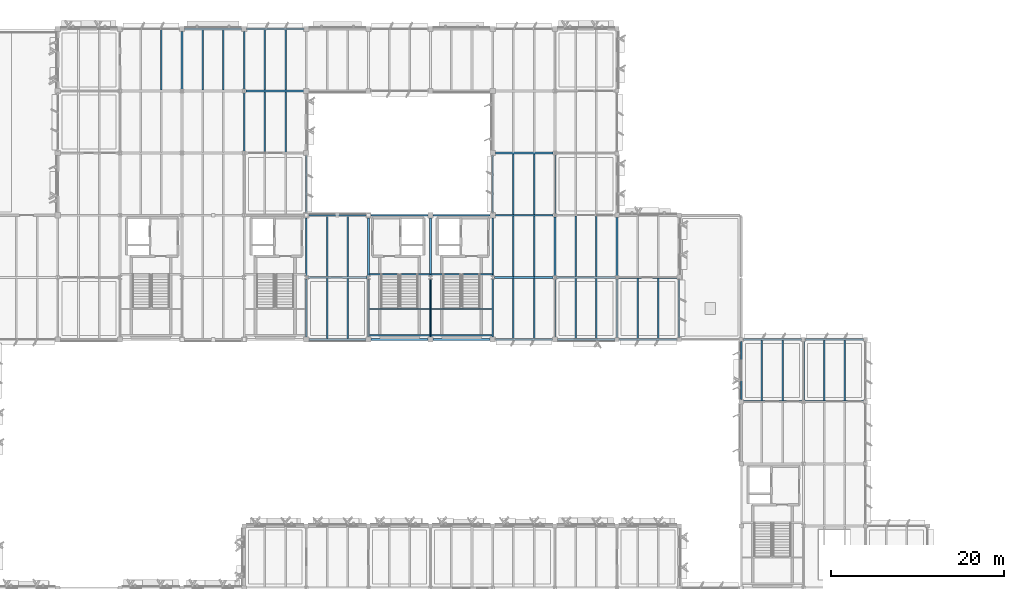
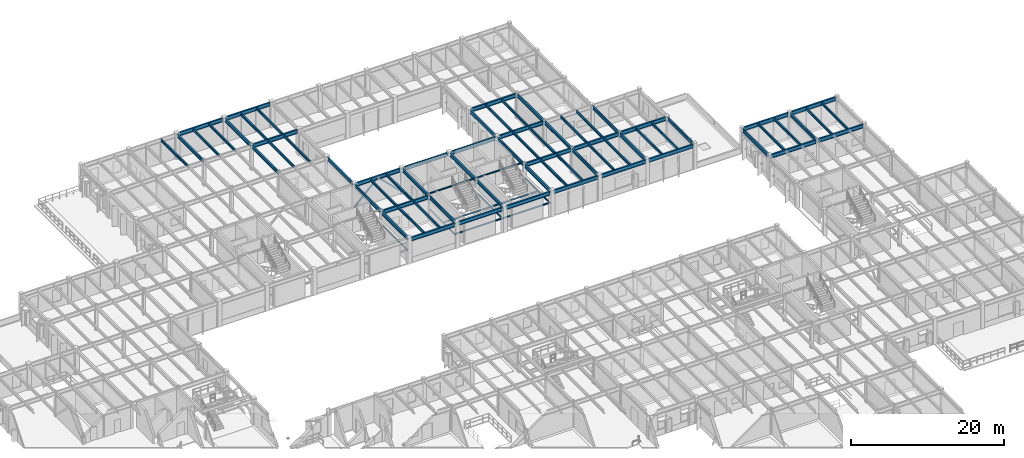
# One storey, part 22 of 85: 80 beams, 2 members.
"""IFC4 building model written with IfcOpenShell, lengths in metres."""

from ifc_helpers import new_model, si_unit, direction, frame, origin, origin_2d, place, context, subcontext, project, spatial, hollow_rectangle, i_section, extrude, material, material_profile, profile_set, type_object, element, save


model = new_model("IFC4")

# Units and contexts
model_context = context("Model", 3, precision=1e-05, world=origin(), true_north=direction((0.0, 1.0)))
body_context = subcontext(model_context, "Body", "Model", "MODEL_VIEW")
ifc_project = project(units=[si_unit("LENGTHUNIT", "METRE"), si_unit("AREAUNIT", "SQUARE_METRE"), si_unit("VOLUMEUNIT", "CUBIC_METRE"), si_unit("PLANEANGLEUNIT", "RADIAN"), si_unit("MASSUNIT", "GRAM", prefix="KILO")], contexts=[model_context])

# Site, building, storey
site_placement = place(None, origin())
site = spatial("IfcSite", under=ifc_project, at=site_placement, CompositionType="ELEMENT")
building_placement = place(site_placement, origin())
building = spatial("IfcBuilding", under=site, at=building_placement, Name="Sillqori Civic Hall", CompositionType="ELEMENT")
storey_placement = place(building_placement, frame((0.0, 0.0, 9.89990234375)))
storey = spatial("IfcBuildingStorey", under=building, at=storey_placement, Name="L03", CompositionType="ELEMENT", Elevation=9.89990234375)

# Beams
ifc_material_1 = material(Name="Steel ASTM A992", Category="steel")
ifc_material_profile_1 = material_profile(ifc_material_1, i_section(OverallWidth=0.2099609375, OverallDepth=0.532958984375, WebThickness=0.01025390625, FlangeThickness=0.015625, FilletRadius=0.013916015625, at=origin_2d()), Name="W21X62")
ifc_profile_set_1 = profile_set([ifc_material_profile_1], Name="Steel ASTM A992")
beam_type_1 = type_object("IfcBeamType", Name="BM-W21X62", PredefinedType="BEAM", material=ifc_profile_set_1)
beam_1_placement = place(storey_placement, frame((57.60009765625, 108.18701171875, 3.753662109375), z_axis=(0.0, 1.0, 0.0), x_axis=(-1.0, 0.0, 0.0)))
element("IfcBeam", 1, at=beam_1_placement, inside=storey, type_object=beam_type_1, Name="L03 girder Y 8-15", PredefinedType="BEAM", context=body_context, shape_type="SweptSolid", body=[
    extrude(i_section(OverallWidth=0.2099609375, OverallDepth=0.532958984375, WebThickness=0.01025390625, FlangeThickness=0.015625, FilletRadius=0.013916015625, at=origin_2d()), origin(), (0.0, 0.0, 1.0), 6.718994140625),
])
beam_2_placement = place(storey_placement, frame((64.800048828125, 100.987060546875, 3.753662109375), z_axis=(0.0, 1.0, 0.0), x_axis=(-1.0, 0.0, 0.0)))
element("IfcBeam", 2, at=beam_2_placement, inside=storey, type_object=beam_type_1, Name="L03 girder Y 9-14", PredefinedType="BEAM", context=body_context, shape_type="SweptSolid", body=[
    extrude(i_section(OverallWidth=0.2099609375, OverallDepth=0.532958984375, WebThickness=0.01025390625, FlangeThickness=0.015625, FilletRadius=0.013916015625, at=origin_2d()), origin(), (0.0, 0.0, 1.0), 6.825927734375),
])
for number, where, z_axis, x_axis, name in (
    (3, (64.800048828125, 108.18701171875, 3.753662109375), (0.0, 1.0, 0.0), (-1.0, 0.0, 0.0), "L03 girder Y 9-15"),
    (4, (72.0, 79.493896484375, 3.753662109375), (0.0, 1.0, 0.0), (-1.0, 0.0, 0.0), "L03 girder Y 10-11"),
    (5, (72.0, 86.5869140625, 3.753662109375), (0.0, 1.0, 0.0), (-1.0, 0.0, 0.0), "L03 girder Y 10-12"),
):
    element("IfcBeam", number, at=place(storey_placement, frame(where, z_axis=z_axis, x_axis=x_axis)), inside=storey, type_object=beam_type_1, Name=name, PredefinedType="BEAM", context=body_context, shape_type="SweptSolid", body=[
        extrude(i_section(OverallWidth=0.2099609375, OverallDepth=0.532958984375, WebThickness=0.01025390625, FlangeThickness=0.015625, FilletRadius=0.013916015625, at=origin_2d()), origin(), (0.0, 0.0, 1.0), 6.718994140625),
    ])
beam_3_placement = place(storey_placement, frame((72.0, 93.89404296875, 3.753662109375), z_axis=(0.0, 1.0, 0.0), x_axis=(-1.0, 0.0, 0.0)))
element("IfcBeam", 6, at=beam_3_placement, inside=storey, type_object=beam_type_1, Name="L03 girder Y 10-13", PredefinedType="BEAM", context=body_context, shape_type="SweptSolid", body=[
    extrude(i_section(OverallWidth=0.2099609375, OverallDepth=0.532958984375, WebThickness=0.01025390625, FlangeThickness=0.015625, FilletRadius=0.013916015625, at=origin_2d()), origin(), (0.0, 0.0, 1.0), 6.612060546875),
])
for number, where, z_axis, x_axis, name in (
    (7, (79.199951171875, 79.493896484375, 3.753662109375), (0.0, 1.0, 0.0), (-1.0, 0.0, 0.0), "L03 girder Y 11-11"),
    (8, (79.199951171875, 86.5869140625, 3.753662109375), (0.0, 1.0, 0.0), (-1.0, 0.0, 0.0), "L03 girder Y 11-12"),
    (9, (86.39990234375, 79.493896484375, 3.753662109375), (0.0, 1.0, 0.0), (-1.0, 0.0, 0.0), "L03 girder Y 12-11"),
    (10, (86.39990234375, 86.5869140625, 3.753662109375), (0.0, 1.0, 0.0), (-1.0, 0.0, 0.0), "L03 girder Y 12-12"),
    (11, (93.60009765625, 79.493896484375, 3.753662109375), (0.0, 1.0, 0.0), (-1.0, 0.0, 0.0), "L03 girder Y 13-11"),
    (12, (93.60009765625, 86.5869140625, 3.753662109375), (0.0, 1.0, 0.0), (-1.0, 0.0, 0.0), "L03 girder Y 13-12"),
):
    element("IfcBeam", number, at=place(storey_placement, frame(where, z_axis=z_axis, x_axis=x_axis)), inside=storey, type_object=beam_type_1, Name=name, PredefinedType="BEAM", context=body_context, shape_type="SweptSolid", body=[
        extrude(i_section(OverallWidth=0.2099609375, OverallDepth=0.532958984375, WebThickness=0.01025390625, FlangeThickness=0.015625, FilletRadius=0.013916015625, at=origin_2d()), origin(), (0.0, 0.0, 1.0), 6.718994140625),
    ])
beam_4_placement = place(storey_placement, frame((93.60009765625, 93.89404296875, 3.753662109375), z_axis=(0.0, 1.0, 0.0), x_axis=(-1.0, 0.0, 0.0)))
element("IfcBeam", 13, at=beam_4_placement, inside=storey, type_object=beam_type_1, Name="L03 girder Y 13-13", PredefinedType="BEAM", context=body_context, shape_type="SweptSolid", body=[
    extrude(i_section(OverallWidth=0.2099609375, OverallDepth=0.532958984375, WebThickness=0.01025390625, FlangeThickness=0.015625, FilletRadius=0.013916015625, at=origin_2d()), origin(), (0.0, 0.0, 1.0), 6.612060546875),
])
beam_5_placement = place(storey_placement, frame((100.800048828125, 79.493896484375, 3.753662109375), z_axis=(0.0, 1.0, 0.0), x_axis=(-1.0, 0.0, 0.0)))
element("IfcBeam", 14, at=beam_5_placement, inside=storey, type_object=beam_type_1, Name="L03 girder Y 14-11", PredefinedType="BEAM", context=body_context, shape_type="SweptSolid", body=[
    extrude(i_section(OverallWidth=0.2099609375, OverallDepth=0.532958984375, WebThickness=0.01025390625, FlangeThickness=0.015625, FilletRadius=0.013916015625, at=origin_2d()), origin(), (0.0, 0.0, 1.0), 6.718994140625),
])
beam_6_placement = place(storey_placement, frame((100.800048828125, 86.5869140625, 3.753662109375), z_axis=(0.0, 1.0, 0.0), x_axis=(-1.0, 0.0, 0.0)))
element("IfcBeam", 15, at=beam_6_placement, inside=storey, type_object=beam_type_1, Name="L03 girder Y 14-12", PredefinedType="BEAM", context=body_context, shape_type="SweptSolid", body=[
    extrude(i_section(OverallWidth=0.2099609375, OverallDepth=0.532958984375, WebThickness=0.01025390625, FlangeThickness=0.015625, FilletRadius=0.013916015625, at=origin_2d()), origin(), (0.0, 0.0, 1.0), 6.826171875),
])
beam_7_placement = place(storey_placement, frame((100.800048828125, 93.787109375, 3.753662109375), z_axis=(0.0, 1.0, 0.0), x_axis=(-1.0, 0.0, 0.0)))
element("IfcBeam", 16, at=beam_7_placement, inside=storey, type_object=beam_type_1, Name="L03 girder Y 14-13", PredefinedType="BEAM", context=body_context, shape_type="SweptSolid", body=[
    extrude(i_section(OverallWidth=0.2099609375, OverallDepth=0.532958984375, WebThickness=0.01025390625, FlangeThickness=0.015625, FilletRadius=0.013916015625, at=origin_2d()), origin(), (0.0, 0.0, 1.0), 6.825927734375),
])
for number, where, z_axis, x_axis, name in (
    (17, (108.0, 79.444091796875, 3.733642578125), (0.0, 1.0, 0.0), (-1.0, 0.0, 0.0), "L03 girder Y 15-11"),
    (18, (108.0, 86.574462890625, 3.733642578125), (0.0, 1.0, 0.0), (-1.0, 0.0, 0.0), "L03 girder Y 15-12"),
):
    element("IfcBeam", number, at=place(storey_placement, frame(where, z_axis=z_axis, x_axis=x_axis)), inside=storey, type_object=beam_type_1, Name=name, PredefinedType="BEAM", context=body_context, shape_type="SweptSolid", body=[
        extrude(i_section(OverallWidth=0.2099609375, OverallDepth=0.532958984375, WebThickness=0.01025390625, FlangeThickness=0.015625, FilletRadius=0.013916015625, at=origin_2d()), origin(), (0.0, 0.0, 1.0), 6.781494140625),
    ])
beam_8_placement = place(storey_placement, frame((115.199951171875, 79.444091796875, 3.733642578125), z_axis=(0.0, 1.0, 0.0), x_axis=(-1.0, 0.0, 0.0)))
element("IfcBeam", 19, at=beam_8_placement, inside=storey, type_object=beam_type_1, Name="L03 girder Y 16-11", PredefinedType="BEAM", context=body_context, shape_type="SweptSolid", body=[
    extrude(i_section(OverallWidth=0.2099609375, OverallDepth=0.532958984375, WebThickness=0.01025390625, FlangeThickness=0.015625, FilletRadius=0.013916015625, at=origin_2d()), origin(), (0.0, 0.0, 1.0), 6.7119140625),
])
beam_9_placement = place(storey_placement, frame((122.39990234375, 72.243896484375, 3.753662109375), z_axis=(0.0, 1.0, 0.0), x_axis=(-1.0, 0.0, 0.0)))
element("IfcBeam", 20, at=beam_9_placement, inside=storey, type_object=beam_type_1, Name="L03 girder Y 17-10", PredefinedType="BEAM", context=body_context, shape_type="SweptSolid", body=[
    extrude(i_section(OverallWidth=0.2099609375, OverallDepth=0.532958984375, WebThickness=0.01025390625, FlangeThickness=0.015625, FilletRadius=0.013916015625, at=origin_2d()), origin(), (0.0, 0.0, 1.0), 6.712158203125),
])
beam_10_placement = place(storey_placement, frame((129.60009765625, 72.174560546875, 3.753662109375), z_axis=(0.0, 1.0, 0.0), x_axis=(-1.0, 0.0, 0.0)))
element("IfcBeam", 21, at=beam_10_placement, inside=storey, type_object=beam_type_1, Name="L03 girder Y 18-10", PredefinedType="BEAM", context=body_context, shape_type="SweptSolid", body=[
    extrude(i_section(OverallWidth=0.2099609375, OverallDepth=0.532958984375, WebThickness=0.01025390625, FlangeThickness=0.015625, FilletRadius=0.013916015625, at=origin_2d()), origin(), (0.0, 0.0, 1.0), 6.781494140625),
])
ifc_material_profile_2 = material_profile(ifc_material_1, i_section(OverallWidth=0.22802734375, OverallDepth=0.60205078125, WebThickness=0.010498046875, FlangeThickness=0.014892578125, FilletRadius=0.014892578125, at=origin_2d()), Name="W24X68")
ifc_profile_set_2 = profile_set([ifc_material_profile_2], Name="Steel ASTM A992")
beam_type_2 = type_object("IfcBeamType", Name="BM-W24X68", PredefinedType="BEAM", material=ifc_profile_set_2)
beam_11_placement = place(storey_placement, frame((57.89404296875, 115.199951171875, 3.718994140625), z_axis=(1.0, 0.0, 0.0), x_axis=(0.0, 1.0, 0.0)))
element("IfcBeam", 22, at=beam_11_placement, inside=storey, type_object=beam_type_2, Name="L03 girder X 8-16", PredefinedType="BEAM", context=body_context, shape_type="SweptSolid", body=[
    extrude(i_section(OverallWidth=0.22802734375, OverallDepth=0.60205078125, WebThickness=0.010498046875, FlangeThickness=0.014892578125, FilletRadius=0.014892578125, at=origin_2d()), origin(), (0.0, 0.0, 1.0), 6.612060546875),
])
beam_12_placement = place(storey_placement, frame((64.993408203125, 108.0, 3.718994140625), z_axis=(1.0, 0.0, 0.0), x_axis=(0.0, 1.0, 0.0)))
element("IfcBeam", 23, at=beam_12_placement, inside=storey, type_object=beam_type_2, Name="L03 girder X 9-15", PredefinedType="BEAM", context=body_context, shape_type="SweptSolid", body=[
    extrude(i_section(OverallWidth=0.22802734375, OverallDepth=0.60205078125, WebThickness=0.010498046875, FlangeThickness=0.014892578125, FilletRadius=0.014892578125, at=origin_2d()), origin(), (0.0, 0.0, 1.0), 6.712646484375),
])
for number, where, z_axis, x_axis, name in (
    (24, (65.093994140625, 115.199951171875, 3.718994140625), (1.0, 0.0, 0.0), (0.0, 1.0, 0.0), "L03 girder X 9-16"),
    (25, (72.2939453125, 79.199951171875, 3.718994140625), (1.0, 0.0, 0.0), (0.0, 1.0, 0.0), "L03 girder X 10-11"),
):
    element("IfcBeam", number, at=place(storey_placement, frame(where, z_axis=z_axis, x_axis=x_axis)), inside=storey, type_object=beam_type_2, Name=name, PredefinedType="BEAM", context=body_context, shape_type="SweptSolid", body=[
        extrude(i_section(OverallWidth=0.22802734375, OverallDepth=0.60205078125, WebThickness=0.010498046875, FlangeThickness=0.014892578125, FilletRadius=0.014892578125, at=origin_2d()), origin(), (0.0, 0.0, 1.0), 6.612060546875),
    ])
beam_13_placement = place(storey_placement, frame((72.193603515625, 86.39990234375, 3.718994140625), z_axis=(1.0, 0.0, 0.0), x_axis=(0.0, 1.0, 0.0)))
element("IfcBeam", 26, at=beam_13_placement, inside=storey, type_object=beam_type_2, Name="L03 girder X 10-12", PredefinedType="BEAM", context=body_context, shape_type="SweptSolid", body=[
    extrude(i_section(OverallWidth=0.22802734375, OverallDepth=0.60205078125, WebThickness=0.010498046875, FlangeThickness=0.014892578125, FilletRadius=0.014892578125, at=origin_2d()), origin(), (0.0, 0.0, 1.0), 6.81298828125),
])
for number, where, z_axis, x_axis, name in (
    (27, (72.2939453125, 93.60009765625, 3.718994140625), (1.0, 0.0, 0.0), (0.0, 1.0, 0.0), "L03 girder X 10-13"),
    (28, (79.493896484375, 79.199951171875, 3.718994140625), (1.0, 0.0, 0.0), (0.0, 1.0, 0.0), "L03 girder X 11-11"),
    (29, (79.493896484375, 93.60009765625, 3.718994140625), (1.0, 0.0, 0.0), (0.0, 1.0, 0.0), "L03 girder X 11-13"),
):
    element("IfcBeam", number, at=place(storey_placement, frame(where, z_axis=z_axis, x_axis=x_axis)), inside=storey, type_object=beam_type_2, Name=name, PredefinedType="BEAM", context=body_context, shape_type="SweptSolid", body=[
        extrude(i_section(OverallWidth=0.22802734375, OverallDepth=0.60205078125, WebThickness=0.010498046875, FlangeThickness=0.014892578125, FilletRadius=0.014892578125, at=origin_2d()), origin(), (0.0, 0.0, 1.0), 6.612060546875),
    ])
for number, where, z_axis, x_axis, name in (
    (30, (86.694091796875, 79.199951171875, 3.718994140625), (1.0, 0.0, 0.0), (0.0, 1.0, 0.0), "L03 girder X 12-11"),
    (31, (86.694091796875, 93.60009765625, 3.718994140625), (1.0, 0.0, 0.0), (0.0, 1.0, 0.0), "L03 girder X 12-13"),
):
    element("IfcBeam", number, at=place(storey_placement, frame(where, z_axis=z_axis, x_axis=x_axis)), inside=storey, type_object=beam_type_2, Name=name, PredefinedType="BEAM", context=body_context, shape_type="SweptSolid", body=[
        extrude(i_section(OverallWidth=0.22802734375, OverallDepth=0.60205078125, WebThickness=0.010498046875, FlangeThickness=0.014892578125, FilletRadius=0.014892578125, at=origin_2d()), origin(), (0.0, 0.0, 1.0), 6.61181640625),
    ])
beam_14_placement = place(storey_placement, frame((93.89404296875, 79.199951171875, 3.718994140625), z_axis=(1.0, 0.0, 0.0), x_axis=(0.0, 1.0, 0.0)))
element("IfcBeam", 32, at=beam_14_placement, inside=storey, type_object=beam_type_2, Name="L03 girder X 13-11", PredefinedType="BEAM", context=body_context, shape_type="SweptSolid", body=[
    extrude(i_section(OverallWidth=0.22802734375, OverallDepth=0.60205078125, WebThickness=0.010498046875, FlangeThickness=0.014892578125, FilletRadius=0.014892578125, at=origin_2d()), origin(), (0.0, 0.0, 1.0), 6.612060546875),
])
beam_15_placement = place(storey_placement, frame((93.79345703125, 86.39990234375, 3.718994140625), z_axis=(1.0, 0.0, 0.0), x_axis=(0.0, 1.0, 0.0)))
element("IfcBeam", 33, at=beam_15_placement, inside=storey, type_object=beam_type_2, Name="L03 girder X 13-12", PredefinedType="BEAM", context=body_context, shape_type="SweptSolid", body=[
    extrude(i_section(OverallWidth=0.22802734375, OverallDepth=0.60205078125, WebThickness=0.010498046875, FlangeThickness=0.014892578125, FilletRadius=0.014892578125, at=origin_2d()), origin(), (0.0, 0.0, 1.0), 6.81298828125),
])
for number, where, z_axis, x_axis, name in (
    (34, (93.89404296875, 93.60009765625, 3.718994140625), (1.0, 0.0, 0.0), (0.0, 1.0, 0.0), "L03 girder X 13-13"),
    (35, (93.89404296875, 100.800048828125, 3.718994140625), (1.0, 0.0, 0.0), (0.0, 1.0, 0.0), "L03 girder X 13-14"),
):
    element("IfcBeam", number, at=place(storey_placement, frame(where, z_axis=z_axis, x_axis=x_axis)), inside=storey, type_object=beam_type_2, Name=name, PredefinedType="BEAM", context=body_context, shape_type="SweptSolid", body=[
        extrude(i_section(OverallWidth=0.22802734375, OverallDepth=0.60205078125, WebThickness=0.010498046875, FlangeThickness=0.014892578125, FilletRadius=0.014892578125, at=origin_2d()), origin(), (0.0, 0.0, 1.0), 6.71240234375),
    ])
beam_16_placement = place(storey_placement, frame((101.093994140625, 79.199951171875, 3.718994140625), z_axis=(1.0, 0.0, 0.0), x_axis=(0.0, 1.0, 0.0)))
element("IfcBeam", 36, at=beam_16_placement, inside=storey, type_object=beam_type_2, Name="L03 girder X 14-11", PredefinedType="BEAM", context=body_context, shape_type="SweptSolid", body=[
    extrude(i_section(OverallWidth=0.22802734375, OverallDepth=0.60205078125, WebThickness=0.010498046875, FlangeThickness=0.014892578125, FilletRadius=0.014892578125, at=origin_2d()), origin(), (0.0, 0.0, 1.0), 6.662109375),
])
beam_17_placement = place(storey_placement, frame((100.993408203125, 86.39990234375, 3.718994140625), z_axis=(1.0, 0.0, 0.0), x_axis=(0.0, 1.0, 0.0)))
element("IfcBeam", 37, at=beam_17_placement, inside=storey, type_object=beam_type_2, Name="L03 girder X 14-12", PredefinedType="BEAM", context=body_context, shape_type="SweptSolid", body=[
    extrude(i_section(OverallWidth=0.22802734375, OverallDepth=0.60205078125, WebThickness=0.010498046875, FlangeThickness=0.014892578125, FilletRadius=0.014892578125, at=origin_2d()), origin(), (0.0, 0.0, 1.0), 6.8271484375),
])
beam_18_placement = place(storey_placement, frame((108.243896484375, 79.199951171875, 3.69921875), z_axis=(1.0, 0.0, 0.0), x_axis=(0.0, 1.0, 0.0)))
element("IfcBeam", 38, at=beam_18_placement, inside=storey, type_object=beam_type_2, Name="L03 girder X 15-11", PredefinedType="BEAM", context=body_context, shape_type="SweptSolid", body=[
    extrude(i_section(OverallWidth=0.22802734375, OverallDepth=0.60205078125, WebThickness=0.010498046875, FlangeThickness=0.014892578125, FilletRadius=0.014892578125, at=origin_2d()), origin(), (0.0, 0.0, 1.0), 6.712158203125),
])
beam_19_placement = place(storey_placement, frame((108.179443359375, 86.39990234375, 3.69921875), z_axis=(1.0, 0.0, 0.0), x_axis=(0.0, 1.0, 0.0)))
element("IfcBeam", 39, at=beam_19_placement, inside=storey, type_object=beam_type_2, Name="L03 girder X 15-12", PredefinedType="BEAM", context=body_context, shape_type="SweptSolid", body=[
    extrude(i_section(OverallWidth=0.22802734375, OverallDepth=0.60205078125, WebThickness=0.010498046875, FlangeThickness=0.014892578125, FilletRadius=0.014892578125, at=origin_2d()), origin(), (0.0, 0.0, 1.0), 6.776611328125),
])
ifc_material_profile_3 = material_profile(ifc_material_1, i_section(OverallWidth=0.22900390625, OverallDepth=0.612060546875, WebThickness=0.011962890625, FlangeThickness=0.01953125, FilletRadius=0.014892578125, at=origin_2d()), Name="W24X84")
ifc_profile_set_3 = profile_set([ifc_material_profile_3], Name="Steel ASTM A992")
beam_type_3 = type_object("IfcBeamType", Name="BM-W24X84", PredefinedType="BEAM", material=ifc_profile_set_3)
beam_20_placement = place(storey_placement, frame((122.64404296875, 72.0, 3.714111328125), z_axis=(1.0, 0.0, 0.0), x_axis=(0.0, 1.0, 0.0)))
element("IfcBeam", 40, at=beam_20_placement, inside=storey, type_object=beam_type_3, Name="L03 girder X 17-10", PredefinedType="BEAM", context=body_context, shape_type="SweptSolid", body=[
    extrude(i_section(OverallWidth=0.22900390625, OverallDepth=0.612060546875, WebThickness=0.011962890625, FlangeThickness=0.01953125, FilletRadius=0.014892578125, at=origin_2d()), origin(), (0.0, 0.0, 1.0), 6.7763671875),
])
beam_21_placement = place(storey_placement, frame((122.64404296875, 79.199951171875, 3.714111328125), z_axis=(1.0, 0.0, 0.0), x_axis=(0.0, 1.0, 0.0)))
element("IfcBeam", 41, at=beam_21_placement, inside=storey, type_object=beam_type_3, Name="L03 girder X 17-11", PredefinedType="BEAM", context=body_context, shape_type="SweptSolid", body=[
    extrude(i_section(OverallWidth=0.22900390625, OverallDepth=0.612060546875, WebThickness=0.011962890625, FlangeThickness=0.01953125, FilletRadius=0.014892578125, at=origin_2d()), origin(), (0.0, 0.0, 1.0), 6.7119140625),
])
beam_22_placement = place(storey_placement, frame((129.779541015625, 72.0, 3.714111328125), z_axis=(1.0, 0.0, 0.0), x_axis=(0.0, 1.0, 0.0)))
element("IfcBeam", 42, at=beam_22_placement, inside=storey, type_object=beam_type_3, Name="L03 girder X 18-10", PredefinedType="BEAM", context=body_context, shape_type="SweptSolid", body=[
    extrude(i_section(OverallWidth=0.22900390625, OverallDepth=0.612060546875, WebThickness=0.011962890625, FlangeThickness=0.01953125, FilletRadius=0.014892578125, at=origin_2d()), origin(), (0.0, 0.0, 1.0), 6.7763671875),
])
beam_23_placement = place(storey_placement, frame((129.843994140625, 79.199951171875, 3.714111328125), z_axis=(1.0, 0.0, 0.0), x_axis=(0.0, 1.0, 0.0)))
element("IfcBeam", 43, at=beam_23_placement, inside=storey, type_object=beam_type_3, Name="L03 girder X 18-11", PredefinedType="BEAM", context=body_context, shape_type="SweptSolid", body=[
    extrude(i_section(OverallWidth=0.22900390625, OverallDepth=0.612060546875, WebThickness=0.011962890625, FlangeThickness=0.01953125, FilletRadius=0.014892578125, at=origin_2d()), origin(), (0.0, 0.0, 1.0), 6.7119140625),
])

# Members
ifc_material_2 = material(Name="Steel ASTM A500 Grade C", Category="steel")
ifc_material_profile_4 = material_profile(ifc_material_2, hollow_rectangle(XDim=0.199951171875, YDim=0.199951171875, WallThickness=0.010009765625, InnerFilletRadius=0.010009765625, OuterFilletRadius=0.02001953125, at=origin_2d()), Name="HSS200X200X10")
ifc_profile_set_4 = profile_set([ifc_material_profile_4], Name="Steel ASTM A500 Grade C")
member_type = type_object("IfcMemberType", Name="BR-HSS200", PredefinedType="BRACE", material=ifc_profile_set_4)
member_1_placement = place(storey_placement, frame((72.0, 93.60009765625, 0.150146484375), z_axis=(0.712038868151, 0.0, 0.702140050305), x_axis=(0.0, 1.0, 0.0)))
element("IfcMember", 44, at=member_1_placement, inside=storey, type_object=member_type, Name="L03 seismic chevron brace L X13-10", PredefinedType="BRACE", context=body_context, shape_type="SweptSolid", body=[
    extrude(hollow_rectangle(XDim=0.199951171875, YDim=0.199951171875, WallThickness=0.010009765625, InnerFilletRadius=0.010009765625, OuterFilletRadius=0.02001953125, at=origin_2d()), origin(), (0.0, 0.0, 1.0), 5.05615234375),
])
member_2_placement = place(storey_placement, frame((79.199951171875, 93.60009765625, 0.150146484375), z_axis=(-0.712015061443, 0.0, 0.702164191823), x_axis=(0.0, -1.0, 0.0)))
element("IfcMember", 45, at=member_2_placement, inside=storey, type_object=member_type, Name="L03 seismic chevron brace R X13-10", PredefinedType="BRACE", context=body_context, shape_type="SweptSolid", body=[
    extrude(hollow_rectangle(XDim=0.199951171875, YDim=0.199951171875, WallThickness=0.010009765625, InnerFilletRadius=0.010009765625, OuterFilletRadius=0.02001953125, at=origin_2d()), origin(), (0.0, 0.0, 1.0), 5.055908203125),
])

# Beams
ifc_material_profile_5 = material_profile(ifc_material_1, i_section(OverallWidth=0.177978515625, OverallDepth=0.404052734375, WebThickness=0.007568359375, FlangeThickness=0.010986328125, FilletRadius=0.011962890625, at=origin_2d()), Name="W16X36")
ifc_profile_set_5 = profile_set([ifc_material_profile_5], Name="Steel ASTM A992")
beam_type_4 = type_object("IfcBeamType", Name="JS-W16X36", PredefinedType="JOIST", material=ifc_profile_set_5)
for number, where, z_axis, x_axis, name in (
    (46, (55.199951171875, 108.094970703125, 3.818115234375), (0.0, 1.0, 0.0), (-1.0, 0.0, 0.0), "L03 composite joist 7-15.2"),
    (47, (60.0, 108.094970703125, 3.818115234375), (0.0, 1.0, 0.0), (-1.0, 0.0, 0.0), "L03 composite joist 8-15.1"),
    (48, (62.39990234375, 108.094970703125, 3.818115234375), (0.0, 1.0, 0.0), (-1.0, 0.0, 0.0), "L03 composite joist 8-15.2"),
    (49, (67.199951171875, 100.89501953125, 3.818115234375), (0.0, 1.0, 0.0), (-1.0, 0.0, 0.0), "L03 composite joist 9-14.1"),
    (50, (69.60009765625, 100.89501953125, 3.818115234375), (0.0, 1.0, 0.0), (-1.0, 0.0, 0.0), "L03 composite joist 9-14.2"),
    (51, (67.199951171875, 108.094970703125, 3.818115234375), (0.0, 1.0, 0.0), (-1.0, 0.0, 0.0), "L03 composite joist 9-15.1"),
    (52, (69.60009765625, 108.094970703125, 3.818115234375), (0.0, 1.0, 0.0), (-1.0, 0.0, 0.0), "L03 composite joist 9-15.2"),
    (53, (74.39990234375, 79.294921875, 3.818115234375), (0.0, 1.0, 0.0), (-1.0, 0.0, 0.0), "L03 composite joist 10-11.1"),
    (54, (76.800048828125, 79.294921875, 3.818115234375), (0.0, 1.0, 0.0), (-1.0, 0.0, 0.0), "L03 composite joist 10-11.2"),
):
    element("IfcBeam", number, at=place(storey_placement, frame(where, z_axis=z_axis, x_axis=x_axis)), inside=storey, type_object=beam_type_4, Name=name, PredefinedType="JOIST", context=body_context, shape_type="SweptSolid", body=[
        extrude(i_section(OverallWidth=0.177978515625, OverallDepth=0.404052734375, WebThickness=0.007568359375, FlangeThickness=0.010986328125, FilletRadius=0.011962890625, at=origin_2d()), origin(), (0.0, 0.0, 1.0), 7.010009765625),
    ])
for number, where, z_axis, x_axis, name in (
    (55, (74.39990234375, 86.4951171875, 3.818115234375), (0.0, 1.0, 0.0), (-1.0, 0.0, 0.0), "L03 composite joist 10-12.1"),
    (56, (76.800048828125, 86.4951171875, 3.818115234375), (0.0, 1.0, 0.0), (-1.0, 0.0, 0.0), "L03 composite joist 10-12.2"),
):
    element("IfcBeam", number, at=place(storey_placement, frame(where, z_axis=z_axis, x_axis=x_axis)), inside=storey, type_object=beam_type_4, Name=name, PredefinedType="JOIST", context=body_context, shape_type="SweptSolid", body=[
        extrude(i_section(OverallWidth=0.177978515625, OverallDepth=0.404052734375, WebThickness=0.007568359375, FlangeThickness=0.010986328125, FilletRadius=0.011962890625, at=origin_2d()), origin(), (0.0, 0.0, 1.0), 7.009765625),
    ])
for number, where, z_axis, x_axis, name in (
    (57, (96.0, 79.294921875, 3.818115234375), (0.0, 1.0, 0.0), (-1.0, 0.0, 0.0), "L03 composite joist 13-11.1"),
    (58, (98.39990234375, 79.294921875, 3.818115234375), (0.0, 1.0, 0.0), (-1.0, 0.0, 0.0), "L03 composite joist 13-11.2"),
):
    element("IfcBeam", number, at=place(storey_placement, frame(where, z_axis=z_axis, x_axis=x_axis)), inside=storey, type_object=beam_type_4, Name=name, PredefinedType="JOIST", context=body_context, shape_type="SweptSolid", body=[
        extrude(i_section(OverallWidth=0.177978515625, OverallDepth=0.404052734375, WebThickness=0.007568359375, FlangeThickness=0.010986328125, FilletRadius=0.011962890625, at=origin_2d()), origin(), (0.0, 0.0, 1.0), 7.010009765625),
    ])
for number, where, z_axis, x_axis, name in (
    (59, (96.0, 86.4951171875, 3.818115234375), (0.0, 1.0, 0.0), (-1.0, 0.0, 0.0), "L03 composite joist 13-12.1"),
    (60, (98.39990234375, 86.4951171875, 3.818115234375), (0.0, 1.0, 0.0), (-1.0, 0.0, 0.0), "L03 composite joist 13-12.2"),
):
    element("IfcBeam", number, at=place(storey_placement, frame(where, z_axis=z_axis, x_axis=x_axis)), inside=storey, type_object=beam_type_4, Name=name, PredefinedType="JOIST", context=body_context, shape_type="SweptSolid", body=[
        extrude(i_section(OverallWidth=0.177978515625, OverallDepth=0.404052734375, WebThickness=0.007568359375, FlangeThickness=0.010986328125, FilletRadius=0.011962890625, at=origin_2d()), origin(), (0.0, 0.0, 1.0), 7.009765625),
    ])
for number, where, z_axis, x_axis, name in (
    (61, (96.0, 93.695068359375, 3.818115234375), (0.0, 1.0, 0.0), (-1.0, 0.0, 0.0), "L03 composite joist 13-13.1"),
    (62, (98.39990234375, 93.695068359375, 3.818115234375), (0.0, 1.0, 0.0), (-1.0, 0.0, 0.0), "L03 composite joist 13-13.2"),
    (63, (103.199951171875, 79.294921875, 3.818115234375), (0.0, 1.0, 0.0), (-1.0, 0.0, 0.0), "L03 composite joist 14-11.1"),
    (64, (105.60009765625, 79.294921875, 3.818115234375), (0.0, 1.0, 0.0), (-1.0, 0.0, 0.0), "L03 composite joist 14-11.2"),
):
    element("IfcBeam", number, at=place(storey_placement, frame(where, z_axis=z_axis, x_axis=x_axis)), inside=storey, type_object=beam_type_4, Name=name, PredefinedType="JOIST", context=body_context, shape_type="SweptSolid", body=[
        extrude(i_section(OverallWidth=0.177978515625, OverallDepth=0.404052734375, WebThickness=0.007568359375, FlangeThickness=0.010986328125, FilletRadius=0.011962890625, at=origin_2d()), origin(), (0.0, 0.0, 1.0), 7.010009765625),
    ])
for number, where, z_axis, x_axis, name in (
    (65, (103.199951171875, 86.4951171875, 3.818115234375), (0.0, 1.0, 0.0), (-1.0, 0.0, 0.0), "L03 composite joist 14-12.1"),
    (66, (105.60009765625, 86.4951171875, 3.818115234375), (0.0, 1.0, 0.0), (-1.0, 0.0, 0.0), "L03 composite joist 14-12.2"),
):
    element("IfcBeam", number, at=place(storey_placement, frame(where, z_axis=z_axis, x_axis=x_axis)), inside=storey, type_object=beam_type_4, Name=name, PredefinedType="JOIST", context=body_context, shape_type="SweptSolid", body=[
        extrude(i_section(OverallWidth=0.177978515625, OverallDepth=0.404052734375, WebThickness=0.007568359375, FlangeThickness=0.010986328125, FilletRadius=0.011962890625, at=origin_2d()), origin(), (0.0, 0.0, 1.0), 7.009765625),
    ])
for number, where, z_axis, x_axis, name in (
    (67, (110.39990234375, 79.294921875, 3.798095703125), (0.0, 1.0, 0.0), (-1.0, 0.0, 0.0), "L03 composite joist 15-11.1"),
    (68, (112.800048828125, 79.294921875, 3.798095703125), (0.0, 1.0, 0.0), (-1.0, 0.0, 0.0), "L03 composite joist 15-11.2"),
    (69, (124.800048828125, 72.094970703125, 3.818115234375), (0.0, 1.0, 0.0), (-1.0, 0.0, 0.0), "L03 composite joist 17-10.1"),
    (70, (127.199951171875, 72.094970703125, 3.818115234375), (0.0, 1.0, 0.0), (-1.0, 0.0, 0.0), "L03 composite joist 17-10.2"),
    (71, (132.0, 72.094970703125, 3.818115234375), (0.0, 1.0, 0.0), (-1.0, 0.0, 0.0), "L03 composite joist 18-10.1"),
    (72, (134.39990234375, 72.094970703125, 3.818115234375), (0.0, 1.0, 0.0), (-1.0, 0.0, 0.0), "L03 composite joist 18-10.2"),
):
    element("IfcBeam", number, at=place(storey_placement, frame(where, z_axis=z_axis, x_axis=x_axis)), inside=storey, type_object=beam_type_4, Name=name, PredefinedType="JOIST", context=body_context, shape_type="SweptSolid", body=[
        extrude(i_section(OverallWidth=0.177978515625, OverallDepth=0.404052734375, WebThickness=0.007568359375, FlangeThickness=0.010986328125, FilletRadius=0.011962890625, at=origin_2d()), origin(), (0.0, 0.0, 1.0), 7.010009765625),
    ])
ifc_material_profile_6 = material_profile(ifc_material_1, i_section(OverallWidth=0.133056640625, OverallDepth=0.20703125, WebThickness=0.005859375, FlangeThickness=0.00830078125, FilletRadius=0.008056640625, at=origin_2d()), Name="W8X18")
ifc_profile_set_6 = profile_set([ifc_material_profile_6], Name="Steel ASTM A992")
beam_type_5 = type_object("IfcBeamType", Name="LN-W8X18", PredefinedType="LINTEL", material=ifc_profile_set_6)
for number, where, z_axis, x_axis, name in (
    (73, (72.0, 79.493896484375, 1.78271484375), (0.0, 1.0, 0.0), (-1.0, 0.0, 0.0), "L03 grid 10 stair landing stringer 1"),
    (74, (79.199951171875, 79.493896484375, 1.78271484375), (0.0, 1.0, 0.0), (-1.0, 0.0, 0.0), "L03 grid 11 stair landing stringer 1"),
    (75, (86.39990234375, 79.493896484375, 1.78271484375), (0.0, 1.0, 0.0), (-1.0, 0.0, 0.0), "L03 grid 12 stair landing stringer 1"),
):
    element("IfcBeam", number, at=place(storey_placement, frame(where, z_axis=z_axis, x_axis=x_axis)), inside=storey, type_object=beam_type_5, Name=name, PredefinedType="LINTEL", context=body_context, shape_type="SweptSolid", body=[
        extrude(i_section(OverallWidth=0.133056640625, OverallDepth=0.20703125, WebThickness=0.005859375, FlangeThickness=0.00830078125, FilletRadius=0.008056640625, at=origin_2d()), origin(), (0.0, 0.0, 1.0), 6.718994140625),
    ])
for number, where, z_axis, x_axis, name in (
    (76, (79.25, 79.695068359375, 1.78271484375), (1.0, 0.0, 0.0), (0.0, 1.0, 0.0), "L03 C7 stair half-landing steel ledger 1.1"),
    (77, (79.25, 82.75, 1.78271484375), (1.0, 0.0, 0.0), (0.0, 1.0, 0.0), "L03 C7 stair half-landing steel ledger 1.2"),
    (78, (79.25, 86.77001953125, 3.922607421875), (1.0, 0.0, 0.0), (0.0, 1.0, 0.0), "L03 C7 stair upper arrival steel trimmer"),
):
    element("IfcBeam", number, at=place(storey_placement, frame(where, z_axis=z_axis, x_axis=x_axis)), inside=storey, type_object=beam_type_5, Name=name, PredefinedType="LINTEL", context=body_context, shape_type="SweptSolid", body=[
        extrude(i_section(OverallWidth=0.133056640625, OverallDepth=0.20703125, WebThickness=0.005859375, FlangeThickness=0.00830078125, FilletRadius=0.008056640625, at=origin_2d()), origin(), (0.0, 0.0, 1.0), 7.10009765625),
    ])
beam_24_placement = place(storey_placement, frame((93.60009765625, 79.493896484375, 1.78271484375), z_axis=(0.0, 1.0, 0.0), x_axis=(-1.0, 0.0, 0.0)))
element("IfcBeam", 79, at=beam_24_placement, inside=storey, type_object=beam_type_5, Name="L03 grid 13 stair landing stringer 1", PredefinedType="LINTEL", context=body_context, shape_type="SweptSolid", body=[
    extrude(i_section(OverallWidth=0.133056640625, OverallDepth=0.20703125, WebThickness=0.005859375, FlangeThickness=0.00830078125, FilletRadius=0.008056640625, at=origin_2d()), origin(), (0.0, 0.0, 1.0), 6.718994140625),
])
for number, where, z_axis, x_axis, name in (
    (80, (86.449951171875, 79.695068359375, 1.78271484375), (1.0, 0.0, 0.0), (0.0, 1.0, 0.0), "L03 C8 stair half-landing steel ledger 1.1"),
    (81, (86.449951171875, 82.75, 1.78271484375), (1.0, 0.0, 0.0), (0.0, 1.0, 0.0), "L03 C8 stair half-landing steel ledger 1.2"),
    (82, (86.449951171875, 86.77001953125, 3.922607421875), (1.0, 0.0, 0.0), (0.0, 1.0, 0.0), "L03 C8 stair upper arrival steel trimmer"),
):
    element("IfcBeam", number, at=place(storey_placement, frame(where, z_axis=z_axis, x_axis=x_axis)), inside=storey, type_object=beam_type_5, Name=name, PredefinedType="LINTEL", context=body_context, shape_type="SweptSolid", body=[
        extrude(i_section(OverallWidth=0.133056640625, OverallDepth=0.20703125, WebThickness=0.005859375, FlangeThickness=0.00830078125, FilletRadius=0.008056640625, at=origin_2d()), origin(), (0.0, 0.0, 1.0), 7.10009765625),
    ])

save(model, "model.ifc")
